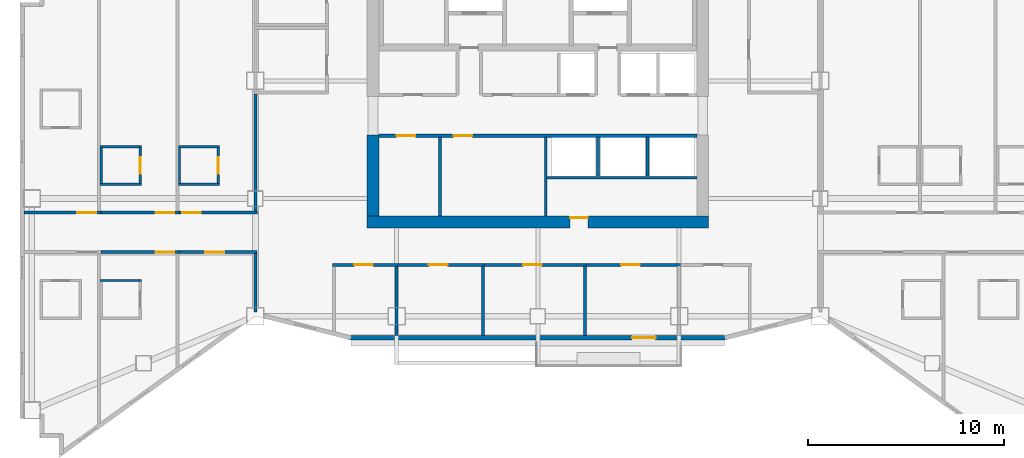
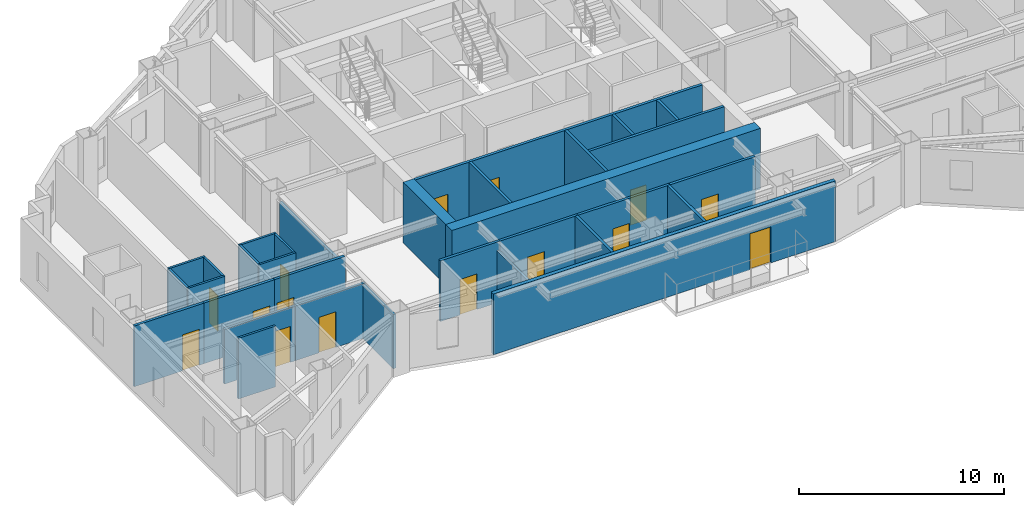
# One storey, part 5 of 11: 32 walls, 15 doors, 15 openings.
"""IFC4 building model written with IfcOpenShell, lengths in metres."""

from ifc_helpers import new_model, si_unit, direction, frame, frame_2d, origin, place, context, subcontext, project, spatial, rectangle, extrude, material, layer, layer_set, type_object, element, fill, save


model = new_model("IFC4")

# Units and contexts
model_context = context("Model", 3, precision=1e-05, world=origin(), true_north=direction((0.0, 1.0)))
body_context = subcontext(model_context, "Body", "Model", "MODEL_VIEW")
ifc_project = project(units=[si_unit("LENGTHUNIT", "METRE"), si_unit("AREAUNIT", "SQUARE_METRE"), si_unit("VOLUMEUNIT", "CUBIC_METRE"), si_unit("PLANEANGLEUNIT", "RADIAN"), si_unit("MASSUNIT", "GRAM", prefix="KILO")], contexts=[model_context])

# Site, building, storey
site_placement = place(None, origin())
site = spatial("IfcSite", under=ifc_project, at=site_placement, CompositionType="ELEMENT")
building_placement = place(site_placement, origin())
building = spatial("IfcBuilding", under=site, at=building_placement, Name="Haolan Belvedere Tower", CompositionType="ELEMENT")
storey_placement = place(building_placement, frame((0.0, 0.0, 211.60009765625)))
storey = spatial("IfcBuildingStorey", under=building, at=storey_placement, Name="L53", CompositionType="ELEMENT", Elevation=211.60009765625)

# Wall, opening, door
ifc_material_1 = material(Name="Concrete C60/75", Category="concrete")
ifc_layer_1 = layer(ifc_material_1, 0.60009765625, Name="Concrete C60/75")
ifc_layer_set_1 = layer_set([ifc_layer_1], Name="Concrete C60/75")
wall_type_1 = type_object("IfcWallType", Name="WL-CORE-600", PredefinedType="SHEAR", material=ifc_layer_set_1)
wall_1_placement = place(storey_placement, frame((29.699951171875, 26.39990234375, 0.0), z_axis=(0.0, 0.0, 1.0), x_axis=(1.0, 0.0, 0.0)))
wall_1 = element("IfcWall", 1, at=wall_1_placement, inside=storey, type_object=wall_type_1, Name="L53 central core south shear wall", PredefinedType="SHEAR", context=body_context, shape_type="SweptSolid", body=[
    extrude(rectangle(XDim=17.400146484375, YDim=0.60009765625, at=frame_2d((8.7001953125, 0.0))), origin(), (0.0, 0.0, 1.0), 3.619873046875),
])
opening_1_placement = place(wall_1_placement, frame((11.25, 0.0, 0.0), z_axis=(0.0, 0.0, 1.0), x_axis=(-1.0, 0.0, 0.0)))
opening_1 = element("IfcOpeningElement", 2, at=opening_1_placement, cuts=wall_1, Name="Opening FD-05", PredefinedType="OPENING", context=body_context, shape_type="SweptSolid", body=[
    extrude(rectangle(XDim=0.89990234375, YDim=2.10009765625, at=frame_2d((0.449951171875, 1.050048828125))), frame((0.0, 0.31005859375, 0.0), z_axis=(0.0, -1.0, 0.0), x_axis=(1.0, 0.0, 0.0)), (0.0, 0.0, 1.0), 0.6201171875),
])
ifc_material_2 = material(Name="Galvanised fire-rated steel", Category="steel")
door_type_1 = type_object("IfcDoorType", Name="DR-FD60-900", OperationType="NOTDEFINED", PredefinedType="DOOR", material=ifc_material_2)
door_1_placement = place(opening_1_placement, origin())
door_1 = element("IfcDoor", 3, at=door_1_placement, inside=storey, type_object=door_type_1, Name="L53 door CD-L53-SCVE", OperationType="SINGLE_SWING_RIGHT", OverallHeight=2.10009765625, OverallWidth=0.89990234375, PredefinedType="DOOR", context=body_context, shape_type="SweptSolid", body=[
    extrude(rectangle(XDim=0.89990234375, YDim=2.10009765625, at=frame_2d((0.449951171875, 1.050048828125))), frame((0.0, -0.19482421875, 0.0), z_axis=(0.0, -1.0, 0.0), x_axis=(1.0, 0.0, 0.0)), (0.0, 0.0, 1.0), 0.050048828125),
])
fill(opening_1, door_1)

# Wall
wall_2_placement = place(storey_placement, frame((30.0, 26.699951171875, 0.0), z_axis=(0.0, 0.0, 1.0), x_axis=(0.0, 1.0, 0.0)))
element("IfcWall", 4, at=wall_2_placement, inside=storey, type_object=wall_type_1, Name="L53 central core shear wall WS", PredefinedType="SHEAR", context=body_context, shape_type="SweptSolid", body=[
    extrude(rectangle(XDim=4.150146484375, YDim=0.60009765625, at=frame_2d((2.0751953125, 0.0))), origin(), (0.0, 0.0, 1.0), 3.619873046875),
])

# Wall, opening, door
ifc_material_3 = material(Name="Precast concrete C40/50", Category="concrete")
ifc_layer_2 = layer(ifc_material_3, 0.219970703125, Name="Precast concrete C40/50")
ifc_layer_set_2 = layer_set([ifc_layer_2], Name="Precast concrete C40/50")
wall_type_2 = type_object("IfcWallType", Name="WL-EXT-220", PredefinedType="SOLIDWALL", material=ifc_layer_set_2)
wall_3_placement = place(storey_placement, frame((28.758544921875, 20.510009765625, 0.0), z_axis=(0.0, 0.0, 1.0), x_axis=(1.0, 0.0, 0.0)))
wall_3 = element("IfcWall", 5, at=wall_3_placement, inside=storey, type_object=wall_type_2, Name="L53 pale-metal exterior spandrel wall 1.1", PredefinedType="SOLIDWALL", context=body_context, shape_type="SweptSolid", body=[
    extrude(rectangle(XDim=19.282958984375, YDim=0.219970703125, at=frame_2d((9.6416015625, 0.0))), origin(), (0.0, 0.0, 1.0), 3.619873046875),
])
opening_2_placement = place(wall_3_placement, frame((15.641357421875, 0.0, 0.0), z_axis=(0.0, 0.0, 1.0), x_axis=(-1.0, 0.0, 0.0)))
opening_2 = element("IfcOpeningElement", 6, at=opening_2_placement, cuts=wall_3, Name="Opening BD-01", PredefinedType="OPENING", context=body_context, shape_type="SweptSolid", body=[
    extrude(rectangle(XDim=1.199951171875, YDim=2.14990234375, at=frame_2d((0.60009765625, 1.074951171875))), frame((0.0, 0.119873046875, 0.0), z_axis=(0.0, -1.0, 0.0), x_axis=(1.0, 0.0, 0.0)), (0.0, 0.0, 1.0), 0.239990234375),
])
ifc_material_4 = material(Name="Thermally broken pale-metal aluminium and Low-E glass", Category="aluminium")
door_type_2 = type_object("IfcDoorType", Name="DR-BAL-1200", OperationType="NOTDEFINED", PredefinedType="DOOR", material=ifc_material_4)
door_2_placement = place(opening_2_placement, origin())
door_2 = element("IfcDoor", 7, at=door_2_placement, inside=storey, type_object=door_type_2, Name="L53 tree-balcony access door 1", OperationType="SINGLE_SWING_LEFT", OverallHeight=2.14990234375, OverallWidth=1.199951171875, PredefinedType="DOOR", context=body_context, shape_type="SweptSolid", body=[
    extrude(rectangle(XDim=1.199951171875, YDim=2.14990234375, at=frame_2d((0.60009765625, 1.074951171875))), frame((0.0, 0.02490234375, 0.0), z_axis=(0.0, -1.0, 0.0), x_axis=(1.0, 0.0, 0.0)), (0.0, 0.0, 1.0), 0.050048828125),
])
fill(opening_2, door_2)

# Walls
ifc_material_5 = material(Name="Double gypsum acoustic stud partition", Category="masonry")
ifc_layer_3 = layer(ifc_material_5, 0.14990234375, Name="Double gypsum acoustic stud partition")
ifc_layer_set_3 = layer_set([ifc_layer_3], Name="Double gypsum acoustic stud partition")
wall_type_3 = type_object("IfcWallType", Name="WL-PART-150", PredefinedType="PARTITIONING", material=ifc_layer_set_3)
wall_4_placement = place(storey_placement, frame((33.39990234375, 26.7099609375, 0.0), z_axis=(0.0, 0.0, 1.0), x_axis=(0.0, 1.0, 0.0)))
element("IfcWall", 8, at=wall_4_placement, inside=storey, type_object=wall_type_3, Name="L53 interior partition IW-L53-DIV-REUSE-PM", PredefinedType="PARTITIONING", context=body_context, shape_type="SweptSolid", body=[
    extrude(rectangle(XDim=4.025146484375, YDim=0.14990234375, at=frame_2d((2.0126953125, 0.0))), origin(), (0.0, 0.0, 1.0), 3.619873046875),
])
wall_5_placement = place(storey_placement, frame((38.860107421875, 28.659912109375, 0.0), z_axis=(0.0, 0.0, 1.0), x_axis=(1.0, 0.0, 0.0)))
element("IfcWall", 9, at=wall_5_placement, inside=storey, type_object=wall_type_3, Name="L53 interior partition IW-L53-SSTRIP-E", PredefinedType="PARTITIONING", context=body_context, shape_type="SweptSolid", body=[
    extrude(rectangle(XDim=7.639892578125, YDim=0.14990234375, at=frame_2d((3.81982421875, 0.0))), origin(), (0.0, 0.0, 1.0), 3.619873046875),
])

# Wall, opening, door
wall_6_placement = place(storey_placement, frame((27.919921875, 24.219970703125, 0.0), z_axis=(0.0, 0.0, 1.0), x_axis=(1.0, 0.0, 0.0)))
wall_6 = element("IfcWall", 10, at=wall_6_placement, inside=storey, type_object=wall_type_3, Name="L53 interior partition IW-L53-KS2-N", PredefinedType="PARTITIONING", context=body_context, shape_type="SweptSolid", body=[
    extrude(rectangle(XDim=3.360107421875, YDim=0.14990234375, at=frame_2d((1.68017578125, 0.0))), origin(), (0.0, 0.0, 1.0), 3.619873046875),
])
opening_3_placement = place(wall_6_placement, frame((2.074951171875, 0.0, 0.0), z_axis=(0.0, 0.0, 1.0), x_axis=(-1.0, 0.0, 0.0)))
opening_3 = element("IfcOpeningElement", 11, at=opening_3_placement, cuts=wall_6, Name="Opening ID-03", PredefinedType="OPENING", context=body_context, shape_type="SweptSolid", body=[
    extrude(rectangle(XDim=0.949951171875, YDim=2.1201171875, at=frame_2d((0.47509765625, 1.06005859375))), frame((0.0, 0.0849609375, 0.0), z_axis=(0.0, -1.0, 0.0), x_axis=(1.0, 0.0, 0.0)), (0.0, 0.0, 1.0), 0.169921875),
])
ifc_material_6 = material(Name="Painted solid-core timber", Category="wood")
door_type_3 = type_object("IfcDoorType", Name="DR-INT-950", OperationType="NOTDEFINED", PredefinedType="DOOR", material=ifc_material_6)
door_3_placement = place(opening_3_placement, origin())
door_3 = element("IfcDoor", 12, at=door_3_placement, inside=storey, type_object=door_type_3, Name="L53 door ID-L53-KS2", OperationType="SINGLE_SWING_RIGHT", OverallHeight=2.1201171875, OverallWidth=0.949951171875, PredefinedType="DOOR", context=body_context, shape_type="SweptSolid", body=[
    extrude(rectangle(XDim=0.949951171875, YDim=2.1201171875, at=frame_2d((0.47509765625, 1.06005859375))), frame((0.0, 0.02490234375, 0.0), z_axis=(0.0, -1.0, 0.0), x_axis=(1.0, 0.0, 0.0)), (0.0, 0.0, 1.0), 0.050048828125),
])
fill(opening_3, door_3)

# Wall
wall_7_placement = place(storey_placement, frame((31.199951171875, 20.612060546875, 0.0), z_axis=(0.0, 0.0, 1.0), x_axis=(0.0, 1.0, 0.0)))
element("IfcWall", 13, at=wall_7_placement, inside=storey, type_object=wall_type_3, Name="L53 interior partition IW-L53-KS2-E", PredefinedType="PARTITIONING", context=body_context, shape_type="SweptSolid", body=[
    extrude(rectangle(XDim=3.5478515625, YDim=0.14990234375, at=frame_2d((1.77392578125, 0.0))), origin(), (0.0, 0.0, 1.0), 3.10498046875),
])

# Wall, opening, door
wall_8_placement = place(storey_placement, frame((31.281982421875, 24.219970703125, 0.0), z_axis=(0.0, 0.0, 1.0), x_axis=(1.0, 0.0, 0.0)))
wall_8 = element("IfcWall", 14, at=wall_8_placement, inside=storey, type_object=wall_type_3, Name="L53 interior partition IW-L53-KS3-N", PredefinedType="PARTITIONING", context=body_context, shape_type="SweptSolid", body=[
    extrude(rectangle(XDim=4.39794921875, YDim=0.14990234375, at=frame_2d((2.198974609375, 0.0))), origin(), (0.0, 0.0, 1.0), 3.619873046875),
])
opening_4_placement = place(wall_8_placement, frame((2.512939453125, 0.0, 0.0), z_axis=(0.0, 0.0, 1.0), x_axis=(-1.0, 0.0, 0.0)))
opening_4 = element("IfcOpeningElement", 15, at=opening_4_placement, cuts=wall_8, Name="Opening ID-03", PredefinedType="OPENING", context=body_context, shape_type="SweptSolid", body=[
    extrude(rectangle(XDim=0.949951171875, YDim=2.1201171875, at=frame_2d((0.47509765625, 1.06005859375))), frame((0.0, 0.0849609375, 0.0), z_axis=(0.0, -1.0, 0.0), x_axis=(1.0, 0.0, 0.0)), (0.0, 0.0, 1.0), 0.169921875),
])
door_4_placement = place(opening_4_placement, origin())
door_4 = element("IfcDoor", 16, at=door_4_placement, inside=storey, type_object=door_type_3, Name="L53 door ID-L53-KS3", OperationType="SINGLE_SWING_LEFT", OverallHeight=2.1201171875, OverallWidth=0.949951171875, PredefinedType="DOOR", context=body_context, shape_type="SweptSolid", body=[
    extrude(rectangle(XDim=0.949951171875, YDim=2.1201171875, at=frame_2d((0.47509765625, 1.06005859375))), frame((0.0, 0.02490234375, 0.0), z_axis=(0.0, -1.0, 0.0), x_axis=(1.0, 0.0, 0.0)), (0.0, 0.0, 1.0), 0.050048828125),
])
fill(opening_4, door_4)

# Wall
wall_9_placement = place(storey_placement, frame((35.60009765625, 20.612060546875, 0.0), z_axis=(0.0, 0.0, 1.0), x_axis=(0.0, 1.0, 0.0)))
element("IfcWall", 17, at=wall_9_placement, inside=storey, type_object=wall_type_3, Name="L53 interior partition IW-L53-KS3-E", PredefinedType="PARTITIONING", context=body_context, shape_type="SweptSolid", body=[
    extrude(rectangle(XDim=3.5478515625, YDim=0.14990234375, at=frame_2d((1.77392578125, 0.0))), origin(), (0.0, 0.0, 1.0), 3.619873046875),
])

# Wall, opening, door
wall_10_placement = place(storey_placement, frame((35.681884765625, 24.219970703125, 0.0), z_axis=(0.0, 0.0, 1.0), x_axis=(1.0, 0.0, 0.0)))
wall_10 = element("IfcWall", 18, at=wall_10_placement, inside=storey, type_object=wall_type_3, Name="L53 interior partition IW-L53-KS4-N", PredefinedType="PARTITIONING", context=body_context, shape_type="SweptSolid", body=[
    extrude(rectangle(XDim=5.197998046875, YDim=0.14990234375, at=frame_2d((2.59912109375, 0.0))), origin(), (0.0, 0.0, 1.0), 3.619873046875),
])
opening_5_placement = place(wall_10_placement, frame((2.912841796875, 0.0, 0.0), z_axis=(0.0, 0.0, 1.0), x_axis=(-1.0, 0.0, 0.0)))
opening_5 = element("IfcOpeningElement", 19, at=opening_5_placement, cuts=wall_10, Name="Opening ID-03", PredefinedType="OPENING", context=body_context, shape_type="SweptSolid", body=[
    extrude(rectangle(XDim=0.949951171875, YDim=2.1201171875, at=frame_2d((0.47509765625, 1.06005859375))), frame((0.0, 0.0849609375, 0.0), z_axis=(0.0, -1.0, 0.0), x_axis=(1.0, 0.0, 0.0)), (0.0, 0.0, 1.0), 0.169921875),
])
door_5_placement = place(opening_5_placement, origin())
door_5 = element("IfcDoor", 20, at=door_5_placement, inside=storey, type_object=door_type_3, Name="L53 door ID-L53-KS4", OperationType="SINGLE_SWING_RIGHT", OverallHeight=2.1201171875, OverallWidth=0.949951171875, PredefinedType="DOOR", context=body_context, shape_type="SweptSolid", body=[
    extrude(rectangle(XDim=0.949951171875, YDim=2.1201171875, at=frame_2d((0.47509765625, 1.06005859375))), frame((0.0, 0.02490234375, 0.0), z_axis=(0.0, -1.0, 0.0), x_axis=(1.0, 0.0, 0.0)), (0.0, 0.0, 1.0), 0.050048828125),
])
fill(opening_5, door_5)

# Wall
wall_11_placement = place(storey_placement, frame((40.800048828125, 20.612060546875, 0.0), z_axis=(0.0, 0.0, 1.0), x_axis=(0.0, 1.0, 0.0)))
element("IfcWall", 21, at=wall_11_placement, inside=storey, type_object=wall_type_3, Name="L53 interior partition IW-L53-KS4-E", PredefinedType="PARTITIONING", context=body_context, shape_type="SweptSolid", body=[
    extrude(rectangle(XDim=3.5478515625, YDim=0.14990234375, at=frame_2d((1.77392578125, 0.0))), origin(), (0.0, 0.0, 1.0), 3.619873046875),
])

# Wall, opening, door
wall_12_placement = place(storey_placement, frame((40.882080078125, 24.219970703125, 0.0), z_axis=(0.0, 0.0, 1.0), x_axis=(1.0, 0.0, 0.0)))
wall_12 = element("IfcWall", 22, at=wall_12_placement, inside=storey, type_object=wall_type_3, Name="L53 interior partition IW-L53-KS5-N", PredefinedType="PARTITIONING", context=body_context, shape_type="SweptSolid", body=[
    extrude(rectangle(XDim=4.7978515625, YDim=0.14990234375, at=frame_2d((2.39892578125, 0.0))), origin(), (0.0, 0.0, 1.0), 3.619873046875),
])
opening_6_placement = place(wall_12_placement, frame((2.712890625, 0.0, 0.0), z_axis=(0.0, 0.0, 1.0), x_axis=(-1.0, 0.0, 0.0)))
opening_6 = element("IfcOpeningElement", 23, at=opening_6_placement, cuts=wall_12, Name="Opening ID-03", PredefinedType="OPENING", context=body_context, shape_type="SweptSolid", body=[
    extrude(rectangle(XDim=0.949951171875, YDim=2.1201171875, at=frame_2d((0.47509765625, 1.06005859375))), frame((0.0, 0.0849609375, 0.0), z_axis=(0.0, -1.0, 0.0), x_axis=(1.0, 0.0, 0.0)), (0.0, 0.0, 1.0), 0.169921875),
])
door_6_placement = place(opening_6_placement, origin())
door_6 = element("IfcDoor", 24, at=door_6_placement, inside=storey, type_object=door_type_3, Name="L53 door ID-L53-KS5", OperationType="SINGLE_SWING_LEFT", OverallHeight=2.1201171875, OverallWidth=0.949951171875, PredefinedType="DOOR", context=body_context, shape_type="SweptSolid", body=[
    extrude(rectangle(XDim=0.949951171875, YDim=2.1201171875, at=frame_2d((0.47509765625, 1.06005859375))), frame((0.0, 0.02490234375, 0.0), z_axis=(0.0, -1.0, 0.0), x_axis=(1.0, 0.0, 0.0)), (0.0, 0.0, 1.0), 0.050048828125),
])
fill(opening_6, door_6)

wall_13_placement = place(storey_placement, frame((12.2119140625, 26.8798828125, 0.0), z_axis=(0.0, 0.0, 1.0), x_axis=(1.0, 0.0, 0.0)))
wall_13 = element("IfcWall", 25, at=wall_13_placement, inside=storey, type_object=wall_type_3, Name="L53 interior partition IW-L53-T2N1-S", PredefinedType="PARTITIONING", context=body_context, shape_type="SweptSolid", body=[
    extrude(rectangle(XDim=3.91796875, YDim=0.14990234375, at=frame_2d((1.958984375, 0.0))), origin(), (0.0, 0.0, 1.0), 3.619873046875),
])
opening_7_placement = place(wall_13_placement, frame((2.71337890625, 0.0, 0.0)))
opening_7 = element("IfcOpeningElement", 26, at=opening_7_placement, cuts=wall_13, Name="Opening ID-02", PredefinedType="OPENING", context=body_context, shape_type="SweptSolid", body=[
    extrude(rectangle(XDim=0.949951171875, YDim=2.14990234375, at=frame_2d((0.47509765625, 1.074951171875))), frame((0.0, 0.0849609375, 0.0), z_axis=(0.0, -1.0, 0.0), x_axis=(1.0, 0.0, 0.0)), (0.0, 0.0, 1.0), 0.169921875),
])
ifc_material_7 = material(Name="Acoustic oak veneer fire-rated timber", Category="wood")
door_type_4 = type_object("IfcDoorType", Name="DR-GUEST-950", OperationType="NOTDEFINED", PredefinedType="DOOR", material=ifc_material_7)
door_7_placement = place(opening_7_placement, origin())
door_7 = element("IfcDoor", 27, at=door_7_placement, inside=storey, type_object=door_type_4, Name="L53 door ID-L53-T2N1-ENT", OperationType="SINGLE_SWING_RIGHT", OverallHeight=2.14990234375, OverallWidth=0.949951171875, PredefinedType="DOOR", context=body_context, shape_type="SweptSolid", body=[
    extrude(rectangle(XDim=0.949951171875, YDim=2.14990234375, at=frame_2d((0.47509765625, 1.074951171875))), frame((0.0, 0.02490234375, 0.0), z_axis=(0.0, -1.0, 0.0), x_axis=(1.0, 0.0, 0.0)), (0.0, 0.0, 1.0), 0.050048828125),
])
fill(opening_7, door_7)

wall_14_placement = place(storey_placement, frame((16.132080078125, 26.8798828125, 0.0), z_axis=(0.0, 0.0, 1.0), x_axis=(1.0, 0.0, 0.0)))
wall_14 = element("IfcWall", 28, at=wall_14_placement, inside=storey, type_object=wall_type_3, Name="L53 interior partition IW-L53-T2N2-S", PredefinedType="PARTITIONING", context=body_context, shape_type="SweptSolid", body=[
    extrude(rectangle(XDim=3.988037109375, YDim=0.14990234375, at=frame_2d((1.994140625, 0.0))), origin(), (0.0, 0.0, 1.0), 3.619873046875),
])
opening_8_placement = place(wall_14_placement, frame((2.781005859375, 0.0, 0.0)))
opening_8 = element("IfcOpeningElement", 29, at=opening_8_placement, cuts=wall_14, Name="Opening ID-02", PredefinedType="OPENING", context=body_context, shape_type="SweptSolid", body=[
    extrude(rectangle(XDim=0.949951171875, YDim=2.14990234375, at=frame_2d((0.47509765625, 1.074951171875))), frame((0.0, 0.0849609375, 0.0), z_axis=(0.0, -1.0, 0.0), x_axis=(1.0, 0.0, 0.0)), (0.0, 0.0, 1.0), 0.169921875),
])
door_8_placement = place(opening_8_placement, origin())
door_8 = element("IfcDoor", 30, at=door_8_placement, inside=storey, type_object=door_type_4, Name="L53 door ID-L53-T2N2-ENT", OperationType="SINGLE_SWING_LEFT", OverallHeight=2.14990234375, OverallWidth=0.949951171875, PredefinedType="DOOR", context=body_context, shape_type="SweptSolid", body=[
    extrude(rectangle(XDim=0.949951171875, YDim=2.14990234375, at=frame_2d((0.47509765625, 1.074951171875))), frame((0.0, 0.02490234375, 0.0), z_axis=(0.0, -1.0, 0.0), x_axis=(1.0, 0.0, 0.0)), (0.0, 0.0, 1.0), 0.050048828125),
])
fill(opening_8, door_8)

wall_15_placement = place(storey_placement, frame((20.1220703125, 26.8798828125, 0.0), z_axis=(0.0, 0.0, 1.0), x_axis=(1.0, 0.0, 0.0)))
wall_15 = element("IfcWall", 31, at=wall_15_placement, inside=storey, type_object=wall_type_3, Name="L53 interior partition IW-L53-T2N3-S", PredefinedType="PARTITIONING", context=body_context, shape_type="SweptSolid", body=[
    extrude(rectangle(XDim=3.97802734375, YDim=0.14990234375, at=frame_2d((1.989013671875, 0.0))), origin(), (0.0, 0.0, 1.0), 3.619873046875),
])
opening_9_placement = place(wall_15_placement, frame((0.139892578125, 0.0, 0.0)))
opening_9 = element("IfcOpeningElement", 32, at=opening_9_placement, cuts=wall_15, Name="Opening ID-01", PredefinedType="OPENING", context=body_context, shape_type="SweptSolid", body=[
    extrude(rectangle(XDim=0.949951171875, YDim=2.179931640625, at=frame_2d((0.47509765625, 1.08984375))), frame((0.0, 0.0849609375, 0.0), z_axis=(0.0, -1.0, 0.0), x_axis=(1.0, 0.0, 0.0)), (0.0, 0.0, 1.0), 0.169921875),
])
ifc_material_8 = material(Name="Acoustic walnut veneer fire-rated timber", Category="wood")
door_type_5 = type_object("IfcDoorType", Name="DR-SUITE-950", OperationType="NOTDEFINED", PredefinedType="DOOR", material=ifc_material_8)
door_9_placement = place(opening_9_placement, origin())
door_9 = element("IfcDoor", 33, at=door_9_placement, inside=storey, type_object=door_type_5, Name="L53 door ID-L53-T2N3-ENT", OperationType="SINGLE_SWING_RIGHT", OverallHeight=2.179931640625, OverallWidth=0.949951171875, PredefinedType="DOOR", context=body_context, shape_type="SweptSolid", body=[
    extrude(rectangle(XDim=0.949951171875, YDim=2.179931640625, at=frame_2d((0.47509765625, 1.08984375))), frame((0.0, 0.02490234375, 0.0), z_axis=(0.0, -1.0, 0.0), x_axis=(1.0, 0.0, 0.0)), (0.0, 0.0, 1.0), 0.050048828125),
])
fill(opening_9, door_9)

# Wall
wall_16_placement = place(storey_placement, frame((24.0, 26.93994140625, 0.0), z_axis=(0.0, 0.0, 1.0), x_axis=(0.0, 1.0, 0.0)))
element("IfcWall", 34, at=wall_16_placement, inside=storey, type_object=wall_type_3, Name="L53 interior partition IW-L53-T2N3-E", PredefinedType="PARTITIONING", context=body_context, shape_type="SweptSolid", body=[
    extrude(rectangle(XDim=6.0, YDim=0.14990234375, at=frame_2d((3.0, 0.0))), origin(), (0.0, 0.0, 1.0), 3.21484375),
])

# Wall, opening, door
wall_17_placement = place(storey_placement, frame((16.132080078125, 24.8701171875, 0.0), z_axis=(0.0, 0.0, 1.0), x_axis=(1.0, 0.0, 0.0)))
wall_17 = element("IfcWall", 35, at=wall_17_placement, inside=storey, type_object=wall_type_3, Name="L53 interior partition IW-L53-T2S2-N", PredefinedType="PARTITIONING", context=body_context, shape_type="SweptSolid", body=[
    extrude(rectangle(XDim=3.988037109375, YDim=0.14990234375, at=frame_2d((1.994140625, 0.0))), origin(), (0.0, 0.0, 1.0), 3.2548828125),
])
opening_10_placement = place(wall_17_placement, frame((3.73095703125, 0.0, 0.0), z_axis=(0.0, 0.0, 1.0), x_axis=(-1.0, 0.0, 0.0)))
opening_10 = element("IfcOpeningElement", 36, at=opening_10_placement, cuts=wall_17, Name="Opening ID-02", PredefinedType="OPENING", context=body_context, shape_type="SweptSolid", body=[
    extrude(rectangle(XDim=0.949951171875, YDim=2.14990234375, at=frame_2d((0.47509765625, 1.074951171875))), frame((0.0, 0.0849609375, 0.0), z_axis=(0.0, -1.0, 0.0), x_axis=(1.0, 0.0, 0.0)), (0.0, 0.0, 1.0), 0.169921875),
])
door_10_placement = place(opening_10_placement, origin())
door_10 = element("IfcDoor", 37, at=door_10_placement, inside=storey, type_object=door_type_4, Name="L53 door ID-L53-T2S2-ENT", OperationType="SINGLE_SWING_RIGHT", OverallHeight=2.14990234375, OverallWidth=0.949951171875, PredefinedType="DOOR", context=body_context, shape_type="SweptSolid", body=[
    extrude(rectangle(XDim=0.949951171875, YDim=2.14990234375, at=frame_2d((0.47509765625, 1.074951171875))), frame((0.0, 0.02490234375, 0.0), z_axis=(0.0, -1.0, 0.0), x_axis=(1.0, 0.0, 0.0)), (0.0, 0.0, 1.0), 0.050048828125),
])
fill(opening_10, door_10)

wall_18_placement = place(storey_placement, frame((20.1220703125, 24.8701171875, 0.0), z_axis=(0.0, 0.0, 1.0), x_axis=(1.0, 0.0, 0.0)))
wall_18 = element("IfcWall", 38, at=wall_18_placement, inside=storey, type_object=wall_type_3, Name="L53 interior partition IW-L53-T2S3-N", PredefinedType="PARTITIONING", context=body_context, shape_type="SweptSolid", body=[
    extrude(rectangle(XDim=3.9580078125, YDim=0.14990234375, at=frame_2d((1.97900390625, 0.0))), origin(), (0.0, 0.0, 1.0), 3.2548828125),
])
opening_11_placement = place(wall_18_placement, frame((2.282958984375, 0.0, 0.0), z_axis=(0.0, 0.0, 1.0), x_axis=(-1.0, 0.0, 0.0)))
opening_11 = element("IfcOpeningElement", 39, at=opening_11_placement, cuts=wall_18, Name="Opening ID-03", PredefinedType="OPENING", context=body_context, shape_type="SweptSolid", body=[
    extrude(rectangle(XDim=0.949951171875, YDim=2.1201171875, at=frame_2d((0.47509765625, 1.06005859375))), frame((0.0, 0.0849609375, 0.0), z_axis=(0.0, -1.0, 0.0), x_axis=(1.0, 0.0, 0.0)), (0.0, 0.0, 1.0), 0.169921875),
])
door_11_placement = place(opening_11_placement, origin())
door_11 = element("IfcDoor", 40, at=door_11_placement, inside=storey, type_object=door_type_3, Name="L53 door ID-L53-T2S3", OperationType="SINGLE_SWING_LEFT", OverallHeight=2.1201171875, OverallWidth=0.949951171875, PredefinedType="DOOR", context=body_context, shape_type="SweptSolid", body=[
    extrude(rectangle(XDim=0.949951171875, YDim=2.1201171875, at=frame_2d((0.47509765625, 1.06005859375))), frame((0.0, 0.02490234375, 0.0), z_axis=(0.0, -1.0, 0.0), x_axis=(1.0, 0.0, 0.0)), (0.0, 0.0, 1.0), 0.050048828125),
])
fill(opening_11, door_11)

# Wall
wall_19_placement = place(storey_placement, frame((24.0, 21.818603515625, 0.0), z_axis=(0.0, 0.0, 1.0), x_axis=(0.0, 1.0, 0.0)))
element("IfcWall", 41, at=wall_19_placement, inside=storey, type_object=wall_type_3, Name="L53 interior partition IW-L53-T2S3-E", PredefinedType="PARTITIONING", context=body_context, shape_type="SweptSolid", body=[
    extrude(rectangle(XDim=2.991455078125, YDim=0.14990234375, at=frame_2d((1.49560546875, 0.0))), origin(), (0.0, 0.0, 1.0), 3.21484375),
])

# Wall, openings, doors
ifc_material_9 = material(Name="Gypsum fire shaftwall assembly", Category="masonry")
ifc_layer_4 = layer(ifc_material_9, 0.1650390625, Name="Gypsum fire shaftwall assembly")
ifc_layer_set_4 = layer_set([ifc_layer_4], Name="Gypsum fire shaftwall assembly")
wall_type_4 = type_object("IfcWallType", Name="WL-SHAFT-160", PredefinedType="SOLIDWALL", material=ifc_layer_set_4)
wall_20_placement = place(storey_placement, frame((30.300048828125, 30.800048828125, 0.0), z_axis=(0.0, 0.0, 1.0), x_axis=(1.0, 0.0, 0.0)))
wall_20 = element("IfcWall", 42, at=wall_20_placement, inside=storey, type_object=wall_type_4, Name="L53 interior partition IW-L53-ROW-PS", PredefinedType="SOLIDWALL", context=body_context, shape_type="SweptSolid", body=[
    extrude(rectangle(XDim=16.199951171875, YDim=0.159912109375, at=frame_2d((8.10009765625, 0.0))), origin(), (0.0, 0.0, 1.0), 3.619873046875),
])
opening_12_placement = place(wall_20_placement, frame((0.89990234375, 0.0, 0.0)))
opening_12 = element("IfcOpeningElement", 43, at=opening_12_placement, cuts=wall_20, Name="Opening ID-03", PredefinedType="OPENING", context=body_context, shape_type="SweptSolid", body=[
    extrude(rectangle(XDim=0.949951171875, YDim=2.1201171875, at=frame_2d((0.47509765625, 1.06005859375))), frame((0.0, 0.08984375, 0.0), z_axis=(0.0, -1.0, 0.0), x_axis=(1.0, 0.0, 0.0)), (0.0, 0.0, 1.0), 0.179931640625),
])
opening_13_placement = place(wall_20_placement, frame((3.800048828125, 0.0, 0.0)))
opening_13 = element("IfcOpeningElement", 44, at=opening_13_placement, cuts=wall_20, Name="Opening ID-03", PredefinedType="OPENING", context=body_context, shape_type="SweptSolid", body=[
    extrude(rectangle(XDim=0.949951171875, YDim=2.1201171875, at=frame_2d((0.47509765625, 1.06005859375))), frame((0.0, 0.08984375, 0.0), z_axis=(0.0, -1.0, 0.0), x_axis=(1.0, 0.0, 0.0)), (0.0, 0.0, 1.0), 0.179931640625),
])
door_12_placement = place(opening_12_placement, origin())
door_12 = element("IfcDoor", 45, at=door_12_placement, inside=storey, type_object=door_type_3, Name="L53 door ID-L53-CD-RPMA", OperationType="SINGLE_SWING_LEFT", OverallHeight=2.1201171875, OverallWidth=0.949951171875, PredefinedType="DOOR", context=body_context, shape_type="SweptSolid", body=[
    extrude(rectangle(XDim=0.949951171875, YDim=2.1201171875, at=frame_2d((0.47509765625, 1.06005859375))), frame((0.0, 0.02490234375, 0.0), z_axis=(0.0, -1.0, 0.0), x_axis=(1.0, 0.0, 0.0)), (0.0, 0.0, 1.0), 0.050048828125),
])
fill(opening_12, door_12)
door_13_placement = place(opening_13_placement, origin())
door_13 = element("IfcDoor", 46, at=door_13_placement, inside=storey, type_object=door_type_3, Name="L53 door ID-L53-CD-RPMB", OperationType="SINGLE_SWING_RIGHT", OverallHeight=2.1201171875, OverallWidth=0.949951171875, PredefinedType="DOOR", context=body_context, shape_type="SweptSolid", body=[
    extrude(rectangle(XDim=0.949951171875, YDim=2.1201171875, at=frame_2d((0.47509765625, 1.06005859375))), frame((0.0, 0.02490234375, 0.0), z_axis=(0.0, -1.0, 0.0), x_axis=(1.0, 0.0, 0.0)), (0.0, 0.0, 1.0), 0.050048828125),
])
fill(opening_13, door_13)

# Walls
wall_21_placement = place(storey_placement, frame((38.800048828125, 26.7099609375, 0.0), z_axis=(0.0, 0.0, 1.0), x_axis=(0.0, 1.0, 0.0)))
element("IfcWall", 47, at=wall_21_placement, inside=storey, type_object=wall_type_4, Name="L53 interior partition IW-L53-DIV-PM-OB", PredefinedType="SOLIDWALL", context=body_context, shape_type="SweptSolid", body=[
    extrude(rectangle(XDim=4.025146484375, YDim=0.14990234375, at=frame_2d((2.0126953125, 0.0))), origin(), (0.0, 0.0, 1.0), 3.619873046875),
])
for number, where, z_axis, x_axis, name in (
    (48, (41.469970703125, 28.75, 0.0), (0.0, 0.0, 1.0), (0.0, 1.0, 0.0), "L53 interior partition IW-L53-DIV-OB1"),
    (49, (43.97998046875, 28.75, 0.0), (0.0, 0.0, 1.0), (0.0, 1.0, 0.0), "L53 interior partition IW-L53-DIV-OB2"),
):
    element("IfcWall", number, at=place(storey_placement, frame(where, z_axis=z_axis, x_axis=x_axis)), inside=storey, type_object=wall_type_4, Name=name, PredefinedType="SOLIDWALL", context=body_context, shape_type="SweptSolid", body=[
        extrude(rectangle(XDim=1.985107421875, YDim=0.14990234375, at=frame_2d((0.99267578125, 0.0))), origin(), (0.0, 0.0, 1.0), 3.619873046875),
    ])
ifc_material_10 = material(Name="Moisture-resistant gypsum tile partition", Category="masonry")
ifc_layer_5 = layer(ifc_material_10, 0.1201171875, Name="Moisture-resistant gypsum tile partition")
ifc_layer_set_5 = layer_set([ifc_layer_5], Name="Moisture-resistant gypsum tile partition")
wall_type_5 = type_object("IfcWallType", Name="WL-WET-120", PredefinedType="PARTITIONING", material=ifc_layer_set_5)
for number, where, z_axis, x_axis, name in (
    (50, (16.090087890625, 30.25, 0.0), (0.0, 0.0, 1.0), (1.0, 0.0, 0.0), "L53 interior partition IW-L53-T2N2-BN"),
    (51, (16.090087890625, 28.330078125, 0.0), (0.0, 0.0, 1.0), (1.0, 0.0, 0.0), "L53 interior partition IW-L53-T2N2-BS"),
):
    element("IfcWall", number, at=place(storey_placement, frame(where, z_axis=z_axis, x_axis=x_axis)), inside=storey, type_object=wall_type_5, Name=name, PredefinedType="PARTITIONING", context=body_context, shape_type="SweptSolid", body=[
        extrude(rectangle(XDim=2.09130859375, YDim=0.1201171875, at=frame_2d((1.045654296875, 0.0))), origin(), (0.0, 0.0, 1.0), 3.619873046875),
    ])
wall_22_placement = place(storey_placement, frame((16.141357421875, 28.375, 0.0), z_axis=(0.0, 0.0, 1.0), x_axis=(0.0, 1.0, 0.0)))
element("IfcWall", 52, at=wall_22_placement, inside=storey, type_object=wall_type_5, Name="L53 interior partition IW-L53-T2N2-BW", PredefinedType="PARTITIONING", context=body_context, shape_type="SweptSolid", body=[
    extrude(rectangle(XDim=1.830078125, YDim=0.1201171875, at=frame_2d((0.9150390625, 0.0))), origin(), (0.0, 0.0, 1.0), 3.619873046875),
])

# Wall, opening, door
wall_23_placement = place(storey_placement, frame((18.121337890625, 28.375, 0.0), z_axis=(0.0, 0.0, 1.0), x_axis=(0.0, 1.0, 0.0)))
wall_23 = element("IfcWall", 53, at=wall_23_placement, inside=storey, type_object=wall_type_5, Name="L53 interior partition IW-L53-T2N2-BE", PredefinedType="PARTITIONING", context=body_context, shape_type="SweptSolid", body=[
    extrude(rectangle(XDim=1.830078125, YDim=0.1201171875, at=frame_2d((0.9150390625, 0.0))), origin(), (0.0, 0.0, 1.0), 3.619873046875),
])
opening_14_placement = place(wall_23_placement, frame((0.489990234375, 0.0, 0.0)))
opening_14 = element("IfcOpeningElement", 54, at=opening_14_placement, cuts=wall_23, Name="Opening ID-05", PredefinedType="OPENING", context=body_context, shape_type="SweptSolid", body=[
    extrude(rectangle(XDim=0.85009765625, YDim=2.10009765625, at=frame_2d((0.425048828125, 1.050048828125))), frame((0.0, 0.070068359375, 0.0), z_axis=(0.0, -1.0, 0.0), x_axis=(1.0, 0.0, 0.0)), (0.0, 0.0, 1.0), 0.14013671875),
])
ifc_material_11 = material(Name="Moisture-resistant lacquered timber", Category="wood")
door_type_6 = type_object("IfcDoorType", Name="DR-BATH-850", OperationType="NOTDEFINED", PredefinedType="DOOR", material=ifc_material_11)
door_14_placement = place(opening_14_placement, origin())
door_14 = element("IfcDoor", 55, at=door_14_placement, inside=storey, type_object=door_type_6, Name="L53 door ID-L53-T2N2-BATH", OperationType="SINGLE_SWING_RIGHT", OverallHeight=2.10009765625, OverallWidth=0.85009765625, PredefinedType="DOOR", context=body_context, shape_type="SweptSolid", body=[
    extrude(rectangle(XDim=0.85009765625, YDim=2.10009765625, at=frame_2d((0.425048828125, 1.050048828125))), frame((0.0, 0.02490234375, 0.0), z_axis=(0.0, -1.0, 0.0), x_axis=(1.0, 0.0, 0.0)), (0.0, 0.0, 1.0), 0.050048828125),
])
fill(opening_14, door_14)

# Walls
for number, where, z_axis, x_axis, name in (
    (56, (20.080078125, 30.25, 0.0), (0.0, 0.0, 1.0), (1.0, 0.0, 0.0), "L53 interior partition IW-L53-T2N3-BN"),
    (57, (20.080078125, 28.330078125, 0.0), (0.0, 0.0, 1.0), (1.0, 0.0, 0.0), "L53 interior partition IW-L53-T2N3-BS"),
):
    element("IfcWall", number, at=place(storey_placement, frame(where, z_axis=z_axis, x_axis=x_axis)), inside=storey, type_object=wall_type_5, Name=name, PredefinedType="PARTITIONING", context=body_context, shape_type="SweptSolid", body=[
        extrude(rectangle(XDim=2.09423828125, YDim=0.1201171875, at=frame_2d((1.047119140625, 0.0))), origin(), (0.0, 0.0, 1.0), 3.619873046875),
    ])
wall_24_placement = place(storey_placement, frame((20.13427734375, 28.375, 0.0), z_axis=(0.0, 0.0, 1.0), x_axis=(0.0, 1.0, 0.0)))
element("IfcWall", 58, at=wall_24_placement, inside=storey, type_object=wall_type_5, Name="L53 interior partition IW-L53-T2N3-BW", PredefinedType="PARTITIONING", context=body_context, shape_type="SweptSolid", body=[
    extrude(rectangle(XDim=1.830078125, YDim=0.1201171875, at=frame_2d((0.9150390625, 0.0))), origin(), (0.0, 0.0, 1.0), 3.619873046875),
])

# Wall, opening, door
wall_25_placement = place(storey_placement, frame((22.1142578125, 28.375, 0.0), z_axis=(0.0, 0.0, 1.0), x_axis=(0.0, 1.0, 0.0)))
wall_25 = element("IfcWall", 59, at=wall_25_placement, inside=storey, type_object=wall_type_5, Name="L53 interior partition IW-L53-T2N3-BE", PredefinedType="PARTITIONING", context=body_context, shape_type="SweptSolid", body=[
    extrude(rectangle(XDim=1.830078125, YDim=0.1201171875, at=frame_2d((0.9150390625, 0.0))), origin(), (0.0, 0.0, 1.0), 3.619873046875),
])
opening_15_placement = place(wall_25_placement, frame((0.489990234375, 0.0, 0.0)))
opening_15 = element("IfcOpeningElement", 60, at=opening_15_placement, cuts=wall_25, Name="Opening ID-05", PredefinedType="OPENING", context=body_context, shape_type="SweptSolid", body=[
    extrude(rectangle(XDim=0.85009765625, YDim=2.10009765625, at=frame_2d((0.425048828125, 1.050048828125))), frame((0.0, 0.070068359375, 0.0), z_axis=(0.0, -1.0, 0.0), x_axis=(1.0, 0.0, 0.0)), (0.0, 0.0, 1.0), 0.14013671875),
])
door_15_placement = place(opening_15_placement, origin())
door_15 = element("IfcDoor", 61, at=door_15_placement, inside=storey, type_object=door_type_6, Name="L53 door ID-L53-T2N3-BATH", OperationType="SINGLE_SWING_LEFT", OverallHeight=2.10009765625, OverallWidth=0.85009765625, PredefinedType="DOOR", context=body_context, shape_type="SweptSolid", body=[
    extrude(rectangle(XDim=0.85009765625, YDim=2.10009765625, at=frame_2d((0.425048828125, 1.050048828125))), frame((0.0, 0.02490234375, 0.0), z_axis=(0.0, -1.0, 0.0), x_axis=(1.0, 0.0, 0.0)), (0.0, 0.0, 1.0), 0.050048828125),
])
fill(opening_15, door_15)

# Wall
wall_26_placement = place(storey_placement, frame((16.090087890625, 23.419921875, 0.0), z_axis=(0.0, 0.0, 1.0), x_axis=(1.0, 0.0, 0.0)))
element("IfcWall", 62, at=wall_26_placement, inside=storey, type_object=wall_type_5, Name="L53 interior partition IW-L53-T2S2-BN", PredefinedType="PARTITIONING", context=body_context, shape_type="SweptSolid", body=[
    extrude(rectangle(XDim=2.094970703125, YDim=0.1201171875, at=frame_2d((1.04736328125, 0.0))), origin(), (0.0, 0.0, 1.0), 3.619873046875),
])

save(model, "model.ifc")
